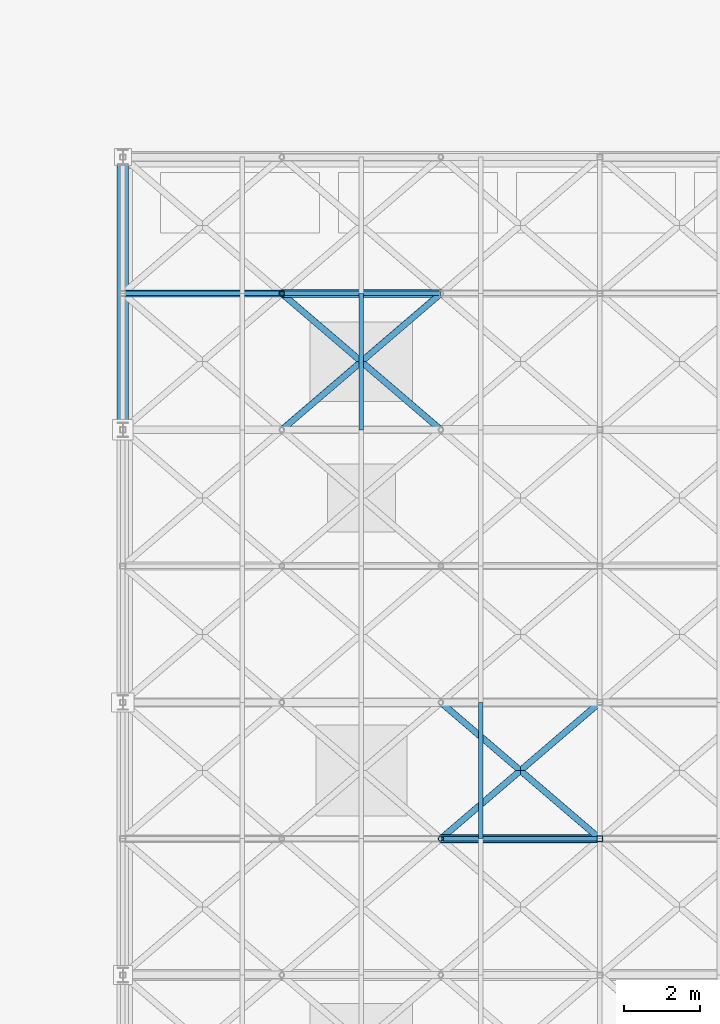
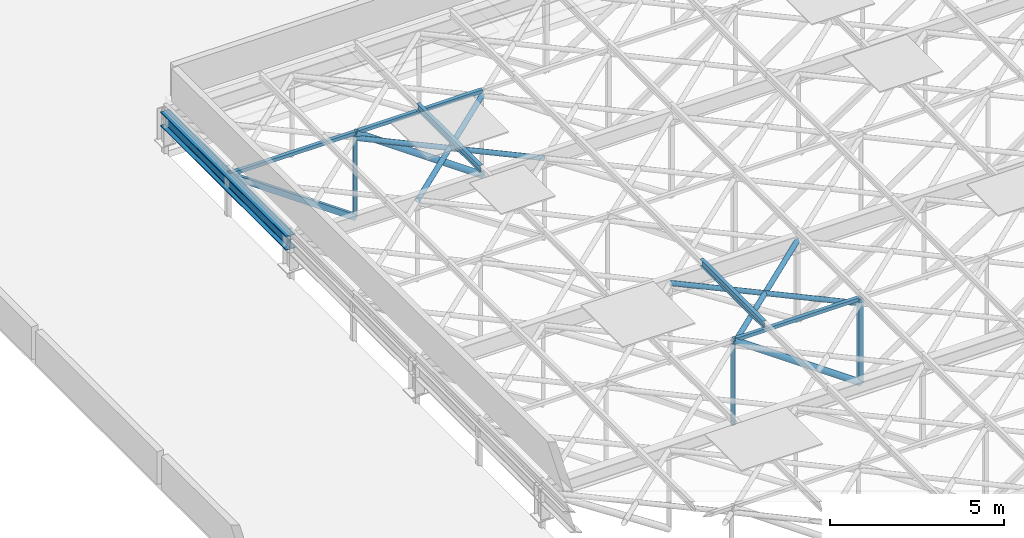
# One storey, part 18 of 45: 15 members, 1 beam.
"""IFC4 building model written with IfcOpenShell, lengths in metres."""

import ifcopenshell
import ifcopenshell.guid

model = None  # the IFC model being written
_history = None  # IfcOwnerHistory: only IFC2X3 demands one
_inside = {}  # id of a spatial element -> (the spatial element, [elements in it])
_under = {}  # id of a project, library or spatial element -> (it, [spatial elements below it])
_declared = {}  # id of a project -> (the project, [libraries it declares])
_typed = {}  # id of a type object -> (the type object, [elements of that type])
_made_of = {}  # id of a material, layer set ... -> (it, [elements and type objects made of it])


def new_model(schema):
    """Start an empty IFC model of exactly this schema.

    Asked for "IFC4X3", IfcOpenShell would pick the latest addendum, in which some entities
    have other attributes; the version numbers below select the first issue.
    IFC2X3 requires an IfcOwnerHistory on every rooted entity: one is made here for all.
    """
    global model, _history
    if schema == "IFC4X3":
        model = ifcopenshell.file(schema_version=(4, 3, 0, 0))
    else:
        model = ifcopenshell.file(schema=schema)
    _inside.clear()
    _under.clear()
    _declared.clear()
    _typed.clear()
    _made_of.clear()
    _history = None
    if model.schema == "IFC2X3":
        org = make("IfcOrganization", Name="unknown")
        user = make(
            "IfcPersonAndOrganization",
            ThePerson=make("IfcPerson", FamilyName="unknown"),
            TheOrganization=org,
        )
        app = make(
            "IfcApplication",
            ApplicationDeveloper=org,
            Version="unknown",
            ApplicationFullName="unknown",
            ApplicationIdentifier="unknown",
        )
        _history = make(
            "IfcOwnerHistory",
            OwningUser=user,
            OwningApplication=app,
            ChangeAction="ADDED",
            CreationDate=0,
        )
    return model


def make(cls, **values):
    """One entity of the class cls with the attributes given. An attribute that is None is left unset."""
    return model.create_entity(
        cls, **{name: value for name, value in values.items() if value is not None}
    )


def rooted(cls, **values):
    """An entity with a GlobalId (a new one), such as an element, a storey or a relation."""
    return make(cls, GlobalId=ifcopenshell.guid.new(), OwnerHistory=_history, **values)


def si_unit(unit_type, name, prefix=None):
    """IfcSIUnit, for example si_unit("LENGTHUNIT", "METRE", prefix="MILLI")."""
    return make("IfcSIUnit", UnitType=unit_type, Prefix=prefix, Name=name)


def derived_unit(unit_type, elements):
    """IfcDerivedUnit: a product of units, each with its exponent."""
    return make(
        "IfcDerivedUnit",
        Elements=[
            make("IfcDerivedUnitElement", Unit=unit, Exponent=power)
            for unit, power in elements
        ],
        UnitType=unit_type,
    )


def assignment(units):
    """IfcUnitAssignment: the units of a project."""
    return None if units is None else make("IfcUnitAssignment", Units=units)


def point(xyz):
    """IfcCartesianPoint."""
    return None if xyz is None else make("IfcCartesianPoint", Coordinates=xyz)


def direction(xyz):
    """IfcDirection."""
    return None if xyz is None else make("IfcDirection", DirectionRatios=xyz)


def frame(location, z_axis=None, x_axis=None):
    """IfcAxis2Placement3D, a coordinate frame: its origin and axes. An axis left out is left unset."""
    return make(
        "IfcAxis2Placement3D",
        Location=point(location),
        Axis=direction(z_axis),
        RefDirection=direction(x_axis),
    )


def frame_2d(location, x_axis=None):
    """IfcAxis2Placement2D, a coordinate frame in the plane: its origin and x axis."""
    return make(
        "IfcAxis2Placement2D", Location=point(location), RefDirection=direction(x_axis)
    )


def origin():
    """The frame at (0, 0, 0) with its axes left unset."""
    return frame((0.0, 0.0, 0.0))


def origin_2d():
    """The frame at (0, 0) in the plane with its x axis left unset."""
    return frame_2d((0.0, 0.0))


def place(relative_to, where):
    """IfcLocalPlacement: puts the frame where relative to a parent placement (None: the world)."""
    return make(
        "IfcLocalPlacement", PlacementRelTo=relative_to, RelativePlacement=where
    )


def context(
    kind, dimensions, precision=None, world=None, true_north=None, identifier=None
):
    """IfcGeometricRepresentationContext, for example the 3D "Model" context."""
    return make(
        "IfcGeometricRepresentationContext",
        ContextIdentifier=identifier,
        ContextType=kind,
        CoordinateSpaceDimension=dimensions,
        Precision=precision,
        WorldCoordinateSystem=world,
        TrueNorth=true_north,
    )


def subcontext(parent, identifier, kind, view, scale=None):
    """IfcGeometricRepresentationSubContext, for example "Body" below "Model"."""
    return make(
        "IfcGeometricRepresentationSubContext",
        ContextIdentifier=identifier,
        ContextType=kind,
        ParentContext=parent,
        TargetScale=scale,
        TargetView=view,
    )


def project(units=None, contexts=None):
    """IfcProject with its units and contexts."""
    return rooted(
        "IfcProject",
        Name="project",
        RepresentationContexts=contexts,
        UnitsInContext=assignment(units),
    )


def spatial(cls, under=None, at=None, **own):
    """A site, building, storey or space (cls), placed at a placement, below another one or the project."""
    s = rooted(cls, ObjectPlacement=at, **own)
    if under is not None:
        _under.setdefault(under.id(), (under, []))[1].append(s)
    return s


def profile(cls, at=None, kind="AREA", **sizes):
    """A parametric profile (cls). Its sizes go by their IFC names, for example OverallWidth=200.0."""
    return make(cls, ProfileType=kind, Position=at, **sizes)


def hollow_rectangle(**sizes):
    """IfcRectangleHollowProfileDef."""
    return profile("IfcRectangleHollowProfileDef", **sizes)


def hollow_circle(**sizes):
    """IfcCircleHollowProfileDef."""
    return profile("IfcCircleHollowProfileDef", **sizes)


def i_section(**sizes):
    """IfcIShapeProfileDef."""
    return profile("IfcIShapeProfileDef", **sizes)


def extrude(swept, where, along, depth):
    """IfcExtrudedAreaSolid: the profile swept, set in the frame where, extruded along a direction by depth."""
    return make(
        "IfcExtrudedAreaSolid",
        SweptArea=swept,
        Position=where,
        ExtrudedDirection=direction(along),
        Depth=depth,
    )


def shape(context_of_items, identifier, shape_type, items):
    """IfcShapeRepresentation: the items that make up one representation, for example the "Body"."""
    return make(
        "IfcShapeRepresentation",
        ContextOfItems=context_of_items,
        RepresentationIdentifier=identifier,
        RepresentationType=shape_type,
        Items=items,
    )


def material(Name=None, Category=None):
    """IfcMaterial."""
    return make("IfcMaterial", Name=Name, Category=Category)


def material_profile(
    of_material, cross_section, Name=None, Category=None, Priority=None
):
    """IfcMaterialProfile: a cross section and its material."""
    return make(
        "IfcMaterialProfile",
        Name=Name,
        Material=of_material,
        Profile=cross_section,
        Priority=Priority,
        Category=Category,
    )


def profile_set(profiles, Name=None, composite=None):
    """IfcMaterialProfileSet."""
    return make(
        "IfcMaterialProfileSet",
        Name=Name,
        MaterialProfiles=profiles,
        CompositeProfile=composite,
    )


def made_of(thing, what):
    """Note that an element or type object is made of a material, layer set ...; save() writes the relation."""
    if what is not None:
        _made_of.setdefault(what.id(), (what, []))[1].append(thing)
    return thing


def type_object(cls, material=None, **own):
    """A type object (cls), such as IfcWallType, which elements share."""
    return made_of(rooted(cls, **own), material)


def element(
    cls,
    number,
    at=None,
    inside=None,
    cuts=None,
    type_object=None,
    material=None,
    context=None,
    identifier="Body",
    shape_type=None,
    held_by="IfcProductDefinitionShape",
    body=None,
    shapes=None,
    **own,
):
    """One element of the class cls, such as IfcWall. Its Tag is "e" and its number.

    at: its placement. inside: the storey or other place that contains it. cuts: it is an
    opening in that element (IfcRelVoidsElement). A single representation is given by context,
    identifier, shape_type and body (its items); several are given by shapes. held_by: the class
    of the entity that holds the representations. save() writes the other relations.
    """
    e = rooted(cls, Tag="e%d" % number, ObjectPlacement=at, **own)
    if body is not None:
        shapes = [shape(context, identifier, shape_type, body)]
    if shapes is not None:
        e.Representation = make(held_by, Representations=shapes)
    if inside is not None:
        _inside.setdefault(inside.id(), (inside, []))[1].append(e)
    if cuts is not None:
        rooted(
            "IfcRelVoidsElement", RelatingBuildingElement=cuts, RelatedOpeningElement=e
        )
    if type_object is not None:
        _typed.setdefault(type_object.id(), (type_object, []))[1].append(e)
    return made_of(e, material)


def aggregate(whole, parts):
    """IfcRelAggregates: a whole, such as a stair, and the parts it consists of."""
    return rooted("IfcRelAggregates", RelatingObject=whole, RelatedObjects=parts)


def save(model, path):
    """Write the relations noted so far, then the file.

    IfcRelAggregates (storeys below a building ...), IfcRelContainedInSpatialStructure (elements
    in a storey), IfcRelDefinesByType, IfcRelAssociatesMaterial and IfcRelDeclares: one each for
    every whole, place, type object, material and project.
    """
    for whole, parts in _under.values():
        aggregate(whole, parts)
    for where, things in _inside.values():
        rooted(
            "IfcRelContainedInSpatialStructure",
            RelatedElements=things,
            RelatingStructure=where,
        )
    for kind, things in _typed.values():
        rooted("IfcRelDefinesByType", RelatedObjects=things, RelatingType=kind)
    for what, things in _made_of.values():
        rooted("IfcRelAssociatesMaterial", RelatedObjects=things, RelatingMaterial=what)
    for by, libraries in _declared.values():
        rooted("IfcRelDeclares", RelatingContext=by, RelatedDefinitions=libraries)
    model.write(path)


model = new_model("IFC4")

# Units and contexts
model_context = context("Model", 3, precision=1e-05, world=origin(), true_north=direction((0.0, 1.0)))
body_context = subcontext(model_context, "Body", "Model", "MODEL_VIEW")
ifc_project = project(units=[si_unit("LENGTHUNIT", "METRE"), si_unit("AREAUNIT", "SQUARE_METRE"), si_unit("VOLUMEUNIT", "CUBIC_METRE"), si_unit("PLANEANGLEUNIT", "RADIAN"), si_unit("MASSUNIT", "GRAM", prefix="KILO"), derived_unit("THERMALTRANSMITTANCEUNIT", [(si_unit("MASSUNIT", "GRAM", prefix="KILO"), 1), (si_unit("TIMEUNIT", "SECOND"), -3), (si_unit("THERMODYNAMICTEMPERATUREUNIT", "KELVIN"), -1)])], contexts=[model_context])

# Site, building, storey
site_placement = place(None, origin())
site = spatial("IfcSite", under=ifc_project, at=site_placement, CompositionType="ELEMENT")
building_placement = place(site_placement, origin())
building = spatial("IfcBuilding", under=site, at=building_placement, Name="Veldstrom Oceanarium and Marine Research Institute", CompositionType="ELEMENT")
storey_placement = place(building_placement, frame((0.0, 0.0, 22.199951171875)))
storey = spatial("IfcBuildingStorey", under=building, at=storey_placement, Name="L04", CompositionType="ELEMENT", Elevation=22.199951171875)

# Beam
ifc_material_1 = material(Name="Steel S355JR", Category="steel")
ifc_material_profile_1 = material_profile(ifc_material_1, i_section(OverallWidth=0.300048828125, OverallDepth=0.5, WebThickness=0.014404296875, FlangeThickness=0.028076171875, FilletRadius=0.027099609375, at=origin_2d()), Name="HEB 500")
ifc_profile_set_1 = profile_set([ifc_material_profile_1], Name="Steel S355JR")
beam_type = type_object("IfcBeamType", Name="STR-BM-SB4", PredefinedType="BEAM", material=ifc_profile_set_1)
beam_placement = place(storey_placement, frame((16.800048828125, 50.39990234375, 0.860107421875), z_axis=(0.0, 1.0, 0.0), x_axis=(-1.0, 0.0, 0.0)))
element("IfcBeam", 1, at=beam_placement, inside=storey, type_object=beam_type, Name="Hall Roof Edge Girder 3/H", PredefinedType="BEAM", context=body_context, shape_type="SweptSolid", body=[
    extrude(i_section(OverallWidth=0.300048828125, OverallDepth=0.5, WebThickness=0.014404296875, FlangeThickness=0.028076171875, FilletRadius=0.027099609375, at=origin_2d()), origin(), (0.0, 0.0, 1.0), 7.2001953125),
])

# Members
ifc_material_2 = material(Name="Steel S355JR", Category="steel")
ifc_material_profile_2 = material_profile(ifc_material_2, hollow_circle(Radius=0.109619140625, WallThickness=0.012451171875, at=origin_2d()), Name="CHS 219.1x12.5")
ifc_profile_set_2 = profile_set([ifc_material_profile_2], Name="Steel S355JR")
member_type_1 = type_object("IfcMemberType", Name="STR-MEM-BR1", PredefinedType="BRACE", material=ifc_profile_set_2)
for number, where, z_axis, x_axis, name in (
    (2, (25.199951171875, 39.60009765625, 1.050048828125), (0.818316866904, 0.0, -0.574767348881), (0.0, 1.0, 0.0), "Truss Web Diagonal RT08-3"),
    (3, (21.0, 54.0, 1.050048828125), (0.818316866904, 0.0, -0.574767348881), (0.0, 1.0, 0.0), "Truss Web Diagonal RT12-2"),
):
    element("IfcMember", number, at=place(storey_placement, frame(where, z_axis=z_axis, x_axis=x_axis)), inside=storey, type_object=member_type_1, Name=name, PredefinedType="BRACE", context=body_context, shape_type="SweptSolid", body=[
        extrude(hollow_circle(Radius=0.109619140625, WallThickness=0.012451171875, at=origin_2d()), origin(), (0.0, 0.0, 1.0), 5.13232421875),
    ])
ifc_material_3 = material(Name="Steel S355JR", Category="steel")
ifc_material_profile_3 = material_profile(ifc_material_3, hollow_circle(Radius=0.084228515625, WallThickness=0.008056640625, at=origin_2d()), Name="CHS 168.3x8")
ifc_profile_set_3 = profile_set([ifc_material_profile_3], Name="Steel S355JR")
member_type_2 = type_object("IfcMemberType", Name="STR-MEM-BR3", PredefinedType="BRACE", material=ifc_profile_set_3)
for number, where, z_axis, x_axis, name in (
    (4, (25.199951171875, 39.60009765625, 0.860107421875), (0.759265948664, 0.650780469282, 0.0), (-0.650780469282, 0.759265948664, 0.0), "Roof Plan Wind Brace WB-08-3"),
    (5, (29.39990234375, 39.60009765625, 0.860107421875), (-0.759265948664, 0.650780469282, 0.0), (-0.650780469282, -0.759265948664, 0.0), "Roof Plan Counter Wind Brace WB-08-3B"),
):
    element("IfcMember", number, at=place(storey_placement, frame(where, z_axis=z_axis, x_axis=x_axis)), inside=storey, type_object=member_type_2, Name=name, PredefinedType="BRACE", context=body_context, shape_type="SweptSolid", body=[
        extrude(hollow_circle(Radius=0.084228515625, WallThickness=0.008056640625, at=origin_2d()), origin(), (0.0, 0.0, 1.0), 5.531494140625),
    ])
for number, where, z_axis, x_axis, name in (
    (6, (21.0, 50.39990234375, 0.860107421875), (0.759244140748, 0.650805911728, 0.0), (-0.650805911728, 0.759244140748, 0.0), "Roof Plan Wind Brace WB-11-2"),
    (7, (25.199951171875, 50.39990234375, 0.860107421875), (-0.759244140748, 0.650805911728, 0.0), (-0.650805911728, -0.759244140748, 0.0), "Roof Plan Counter Wind Brace WB-11-2B"),
):
    element("IfcMember", number, at=place(storey_placement, frame(where, z_axis=z_axis, x_axis=x_axis)), inside=storey, type_object=member_type_2, Name=name, PredefinedType="BRACE", context=body_context, shape_type="SweptSolid", body=[
        extrude(hollow_circle(Radius=0.084228515625, WallThickness=0.008056640625, at=origin_2d()), origin(), (0.0, 0.0, 1.0), 5.53173828125),
    ])
ifc_material_4 = material(Name="Steel S355JR", Category="steel")
ifc_material_profile_4 = material_profile(ifc_material_4, hollow_rectangle(XDim=0.179931640625, YDim=0.179931640625, WallThickness=0.010009765625, at=origin_2d()), Name="SHS 180x180x10")
ifc_profile_set_4 = profile_set([ifc_material_profile_4], Name="Steel S355JR")
member_type_3 = type_object("IfcMemberType", Name="STR-MEM-BR4", PredefinedType="BRACE", material=ifc_profile_set_4)
member_1_placement = place(storey_placement, frame((16.800048828125, 54.0, 1.050048828125), z_axis=(0.818316866904, 0.0, -0.574767348881), x_axis=(0.0, 1.0, 0.0)))
element("IfcMember", 8, at=member_1_placement, inside=storey, type_object=member_type_3, Name="Truss Web Diagonal RT12-1", PredefinedType="BRACE", context=body_context, shape_type="SweptSolid", body=[
    extrude(hollow_rectangle(XDim=0.179931640625, YDim=0.179931640625, WallThickness=0.010009765625, at=origin_2d()), origin(), (0.0, 0.0, 1.0), 5.13232421875),
])
ifc_material_5 = material(Name="Steel S355JR", Category="steel")
ifc_material_profile_5 = material_profile(ifc_material_5, i_section(OverallWidth=0.1201171875, OverallDepth=0.239990234375, WebThickness=0.006103515625, FlangeThickness=0.009765625, FilletRadius=0.014892578125, at=origin_2d()), Name="IPE 240")
ifc_profile_set_5 = profile_set([ifc_material_profile_5], Name="Steel S355JR")
member_type_4 = type_object("IfcMemberType", Name="STR-MEM-PR1", PredefinedType="PURLIN", material=ifc_profile_set_5)
member_2_placement = place(storey_placement, frame((26.25, 39.60009765625, 1.22998046875), z_axis=(0.0, 1.0, 0.0), x_axis=(-1.0, 0.0, 0.0)))
element("IfcMember", 9, at=member_2_placement, inside=storey, type_object=member_type_4, Name="Hall Roof Purlin PR-09-4", PredefinedType="PURLIN", context=body_context, shape_type="SweptSolid", body=[
    extrude(i_section(OverallWidth=0.1201171875, OverallDepth=0.239990234375, WebThickness=0.006103515625, FlangeThickness=0.009765625, FilletRadius=0.014892578125, at=origin_2d()), origin(), (0.0, 0.0, 1.0), 3.599853515625),
])
member_3_placement = place(storey_placement, frame((23.10009765625, 50.39990234375, 1.22998046875), z_axis=(0.0, 1.0, 0.0), x_axis=(-1.0, 0.0, 0.0)))
element("IfcMember", 10, at=member_3_placement, inside=storey, type_object=member_type_4, Name="Hall Roof Purlin PR-12-3", PredefinedType="PURLIN", context=body_context, shape_type="SweptSolid", body=[
    extrude(i_section(OverallWidth=0.1201171875, OverallDepth=0.239990234375, WebThickness=0.006103515625, FlangeThickness=0.009765625, FilletRadius=0.014892578125, at=origin_2d()), origin(), (0.0, 0.0, 1.0), 3.60009765625),
])
ifc_material_6 = material(Name="Steel S355JR", Category="steel")
ifc_material_profile_6 = material_profile(ifc_material_6, hollow_rectangle(XDim=0.14990234375, YDim=0.14990234375, WallThickness=0.010009765625, at=origin_2d()), Name="SHS 150x150x10")
ifc_profile_set_6 = profile_set([ifc_material_profile_6], Name="Steel S355JR")
member_type_5 = type_object("IfcMemberType", Name="STR-MEM-PS1", PredefinedType="POST", material=ifc_profile_set_6)
member_4_placement = place(storey_placement, frame((29.39990234375, 39.60009765625, -1.89990234375), z_axis=(0.0, 0.0, 1.0), x_axis=(1.0, 0.0, 0.0)))
element("IfcMember", 11, at=member_4_placement, inside=storey, type_object=member_type_5, Name="Truss Vertical Post RT08-4", PredefinedType="POST", context=body_context, shape_type="SweptSolid", body=[
    extrude(hollow_rectangle(XDim=0.14990234375, YDim=0.14990234375, WallThickness=0.010009765625, at=origin_2d()), origin(), (0.0, 0.0, 1.0), 2.949951171875),
])
ifc_material_7 = material(Name="Steel S355JR", Category="steel")
ifc_material_profile_7 = material_profile(ifc_material_7, hollow_circle(Radius=0.06982421875, WallThickness=0.008056640625, at=origin_2d()), Name="CHS 139.7x8")
ifc_profile_set_7 = profile_set([ifc_material_profile_7], Name="Steel S355JR")
member_type_6 = type_object("IfcMemberType", Name="STR-MEM-PS2", PredefinedType="POST", material=ifc_profile_set_7)
for number, where, z_axis, x_axis, name in (
    (12, (25.199951171875, 39.60009765625, -1.89990234375), (0.0, 0.0, 1.0), (1.0, 0.0, 0.0), "Truss Vertical Post RT08-3"),
    (13, (21.0, 54.0, -1.89990234375), (0.0, 0.0, 1.0), (1.0, 0.0, 0.0), "Truss Vertical Post RT12-2"),
):
    element("IfcMember", number, at=place(storey_placement, frame(where, z_axis=z_axis, x_axis=x_axis)), inside=storey, type_object=member_type_6, Name=name, PredefinedType="POST", context=body_context, shape_type="SweptSolid", body=[
        extrude(hollow_circle(Radius=0.06982421875, WallThickness=0.008056640625, at=origin_2d()), origin(), (0.0, 0.0, 1.0), 2.949951171875),
    ])
ifc_material_8 = material(Name="Steel S355JR", Category="steel")
ifc_material_profile_8 = material_profile(ifc_material_8, hollow_rectangle(XDim=0.1201171875, YDim=0.1201171875, WallThickness=0.008056640625, at=origin_2d()), Name="SHS 120x120x8")
ifc_profile_set_8 = profile_set([ifc_material_profile_8], Name="Steel S355JR")
member_type_7 = type_object("IfcMemberType", Name="STR-MEM-RF1", PredefinedType="RAFTER", material=ifc_profile_set_8)
for number, where, z_axis, x_axis, name in (
    (14, (25.199951171875, 39.60009765625, 1.050048828125), (1.0, 0.0, 0.0), (0.0, 1.0, 0.0), "Truss Top Rafter RT08-3"),
    (15, (16.800048828125, 54.0, 1.050048828125), (1.0, 0.0, 0.0), (0.0, 1.0, 0.0), "Truss Top Rafter RT12-1"),
    (16, (21.0, 54.0, 1.050048828125), (1.0, 0.0, 0.0), (0.0, 1.0, 0.0), "Truss Top Rafter RT12-2"),
):
    element("IfcMember", number, at=place(storey_placement, frame(where, z_axis=z_axis, x_axis=x_axis)), inside=storey, type_object=member_type_7, Name=name, PredefinedType="RAFTER", context=body_context, shape_type="SweptSolid", body=[
        extrude(hollow_rectangle(XDim=0.1201171875, YDim=0.1201171875, WallThickness=0.008056640625, at=origin_2d()), origin(), (0.0, 0.0, 1.0), 4.199951171875),
    ])

save(model, "model.ifc")
